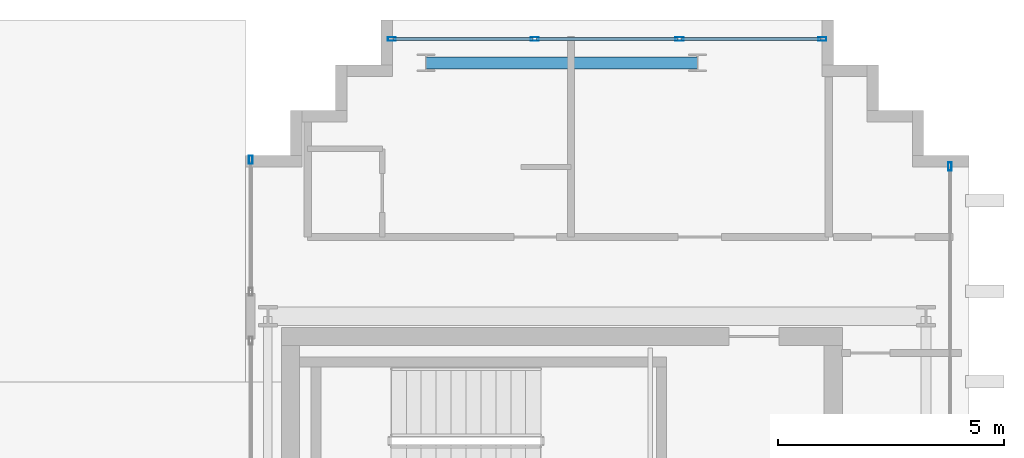
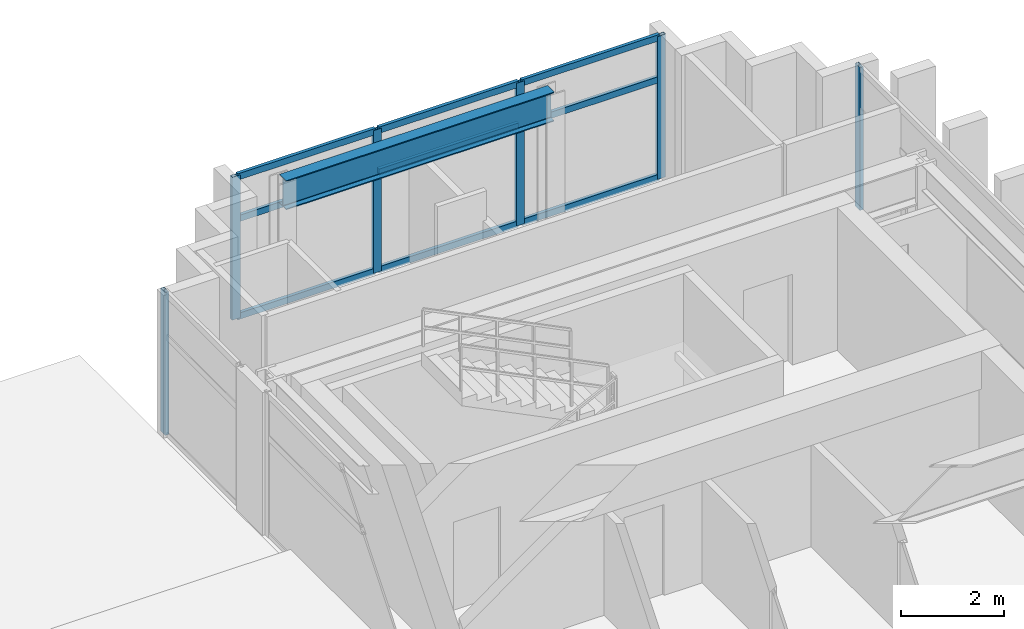
# One storey, part 17 of 25: 15 members, 1 beam, 3 elements without a shape of their own.
"""IFC4 building model written with IfcOpenShell, lengths in metres."""

from ifc_helpers import new_model, si_unit, direction, frame, origin, origin_2d, place, context, subcontext, project, spatial, hollow_rectangle, i_section, extrude, source, transform, mapped, material, layer, layer_set, material_profile, profile_set, type_object, element, aggregate, save


model = new_model("IFC4")

# Units and contexts
model_context = context("Model", 3, precision=1e-05, world=origin(), true_north=direction((0.0, 1.0)))
body_context = subcontext(model_context, "Body", "Model", "MODEL_VIEW")
ifc_project = project(units=[si_unit("LENGTHUNIT", "METRE"), si_unit("AREAUNIT", "SQUARE_METRE"), si_unit("VOLUMEUNIT", "CUBIC_METRE"), si_unit("PLANEANGLEUNIT", "RADIAN"), si_unit("MASSUNIT", "GRAM", prefix="KILO")], contexts=[model_context])

# Site, building, storey
site_placement = place(None, origin())
site = spatial("IfcSite", under=ifc_project, at=site_placement, CompositionType="ELEMENT")
building_placement = place(site_placement, origin())
building = spatial("IfcBuilding", under=site, at=building_placement, Name="Ocotamira Hotel", CompositionType="ELEMENT")
storey_placement = place(building_placement, frame((0.0, 0.0, 250.800048828125)))
storey = spatial("IfcBuildingStorey", under=building, at=storey_placement, Name="L63", CompositionType="ELEMENT", Elevation=250.800048828125)

# Beam
ifc_material_1 = material(Name="Steel ASTM A992 Grade 50", Category="steel")
ifc_material_profile_1 = material_profile(ifc_material_1, i_section(OverallWidth=0.256103515625, OverallDepth=0.693115234375, WebThickness=0.014404296875, FlangeThickness=0.023681640625, FilletRadius=0.01611328125, at=origin_2d()), Name="W27X114")
ifc_profile_set_1 = profile_set([ifc_material_profile_1], Name="Steel ASTM A992 Grade 50")
beam_type = type_object("IfcBeamType", Name="BM-PRIM-W27X114", PredefinedType="BEAM", material=ifc_profile_set_1)
shared_shape_1 = source(origin(), body_context, "Body", "SweptSolid", [
    extrude(i_section(OverallWidth=0.256103515625, OverallDepth=0.693115234375, WebThickness=0.014404296875, FlangeThickness=0.023681640625, FilletRadius=0.01611328125, at=origin_2d()), origin(), (0.0, 0.0, 1.0), 6.0),
])
beam_placement = place(storey_placement, frame((44.0, 43.050048828125, 3.033447265625), z_axis=(1.0, 0.0, 0.0), x_axis=(0.0, 1.0, 0.0)))
element("IfcBeam", 1, at=beam_placement, inside=storey, type_object=beam_type, Name="L63 Girder Y43.05 X44-50", PredefinedType="BEAM", context=body_context, shape_type="MappedRepresentation", body=[
    mapped(shared_shape_1, transform((0.0, 0.0, 0.0), scale=1.0)),
])

# Curtain wall, members
ifc_material_2 = material(Name="Anodised pale-metal aluminium and solar glass", Category="aluminium")
ifc_layer = layer(ifc_material_2, 0.2099609375)
ifc_layer_set = layer_set([ifc_layer], Name="Anodised pale-metal aluminium and solar glass")
curtain_wall_type = type_object("IfcCurtainWallType", Name="CW-SYS7-PEAK", PredefinedType="NOTDEFINED", material=ifc_layer_set)
curtain_wall_1_placement = place(storey_placement, origin())
curtain_wall_1 = element("IfcCurtainWall", 2, at=curtain_wall_1_placement, inside=storey, type_object=curtain_wall_type, Name="L63 Curtain Wall CW-7 CW-L63-EN", PredefinedType="NOTDEFINED")
ifc_material_3 = material(Name="Anodised pale-metal aluminium 6063-T6", Category="aluminium")
ifc_material_profile_2 = material_profile(ifc_material_3, hollow_rectangle(XDim=0.080078125, YDim=0.179931640625, WallThickness=0.006103515625, at=origin_2d()), Name="HSS180X80X6")
ifc_profile_set_2 = profile_set([ifc_material_profile_2], Name="Anodised pale-metal aluminium 6063-T6")
member_type_1 = type_object("IfcMemberType", Name="CWM-180X75", PredefinedType="MULLION", material=ifc_profile_set_2)
shared_shape_2 = source(origin(), body_context, "Body", "SweptSolid", [
    extrude(hollow_rectangle(XDim=0.080078125, YDim=0.179931640625, WallThickness=0.006103515625, at=origin_2d()), origin(), (0.0, 0.0, 1.0), 3.3798828125),
])
member_1_placement = place(storey_placement, frame((43.239990234375, 43.580078125, 0.0), z_axis=(0.0, 0.0, 1.0), x_axis=(0.0, 1.0, 0.0)))
member_1 = element("IfcMember", 3, at=member_1_placement, type_object=member_type_1, Name="CW-7 mullion 1", PredefinedType="MULLION", context=body_context, shape_type="MappedRepresentation", body=[
    mapped(shared_shape_2, transform((0.0, 0.0, 0.0), scale=1.0)),
])
member_2_placement = place(storey_placement, frame((46.39990234375, 43.580078125, 0.0), z_axis=(0.0, 0.0, 1.0), x_axis=(0.0, 1.0, 0.0)))
member_2 = element("IfcMember", 4, at=member_2_placement, type_object=member_type_1, Name="CW-7 mullion 2", PredefinedType="MULLION", context=body_context, shape_type="MappedRepresentation", body=[
    mapped(shared_shape_2, transform((0.0, 0.0, 0.0), scale=1.0)),
])
member_3_placement = place(storey_placement, frame((49.60009765625, 43.580078125, 0.0), z_axis=(0.0, 0.0, 1.0), x_axis=(0.0, 1.0, 0.0)))
member_3 = element("IfcMember", 5, at=member_3_placement, type_object=member_type_1, Name="CW-7 mullion 3", PredefinedType="MULLION", context=body_context, shape_type="MappedRepresentation", body=[
    mapped(shared_shape_2, transform((0.0, 0.0, 0.0), scale=1.0)),
])
member_4_placement = place(storey_placement, frame((52.760009765625, 43.580078125, 0.0), z_axis=(0.0, 0.0, 1.0), x_axis=(0.0, 1.0, 0.0)))
member_4 = element("IfcMember", 6, at=member_4_placement, type_object=member_type_1, Name="CW-7 mullion 4", PredefinedType="MULLION", context=body_context, shape_type="MappedRepresentation", body=[
    mapped(shared_shape_2, transform((0.0, 0.0, 0.0), scale=1.0)),
])

# Curtain wall, member
curtain_wall_2_placement = place(storey_placement, origin())
curtain_wall_2 = element("IfcCurtainWall", 7, at=curtain_wall_2_placement, inside=storey, type_object=curtain_wall_type, Name="L63 Curtain Wall CW-7 CW-L63-EO2", PredefinedType="NOTDEFINED")
member_5_placement = place(storey_placement, frame((55.580078125, 40.760009765625, 0.0), z_axis=(0.0, 0.0, 1.0), x_axis=(-1.0, 0.0, 0.0)))
member_5 = element("IfcMember", 8, at=member_5_placement, type_object=member_type_1, Name="CW-7 mullion 3", PredefinedType="MULLION", context=body_context, shape_type="MappedRepresentation", body=[
    mapped(shared_shape_2, transform((0.0, 0.0, 0.0), scale=1.0)),
])
aggregate(curtain_wall_2, [member_5])

curtain_wall_3_placement = place(storey_placement, origin())
curtain_wall_3 = element("IfcCurtainWall", 9, at=curtain_wall_3_placement, inside=storey, type_object=curtain_wall_type, Name="L63 Curtain Wall CW-7 CW-L63-EI4", PredefinedType="NOTDEFINED")
member_6_placement = place(storey_placement, frame((40.1201171875, 40.909912109375, 0.0), z_axis=(0.0, 0.0, 1.0), x_axis=(-1.0, 0.0, 0.0)))
member_6 = element("IfcMember", 10, at=member_6_placement, type_object=member_type_1, Name="CW-7 mullion 2", PredefinedType="MULLION", context=body_context, shape_type="MappedRepresentation", body=[
    mapped(shared_shape_2, transform((0.0, 0.0, 0.0), scale=1.0)),
])
aggregate(curtain_wall_3, [member_6])

# Member
ifc_material_profile_3 = material_profile(ifc_material_3, hollow_rectangle(XDim=0.074951171875, YDim=0.14990234375, WallThickness=0.006103515625, at=origin_2d()), Name="HSS150X75X6")
ifc_profile_set_3 = profile_set([ifc_material_profile_3], Name="Anodised pale-metal aluminium 6063-T6")
member_type_2 = type_object("IfcMemberType", Name="CWT-150X75", PredefinedType="USERDEFINED", material=ifc_profile_set_3)
shared_shape_3 = source(origin(), body_context, "Body", "SweptSolid", [
    extrude(hollow_rectangle(XDim=0.074951171875, YDim=0.14990234375, WallThickness=0.006103515625, at=origin_2d()), origin(), (0.0, 0.0, 1.0), 3.080078125),
])
member_7_placement = place(storey_placement, frame((43.280029296875, 43.580078125, 0.037353515625), z_axis=(1.0, 0.0, 0.0), x_axis=(0.0, 1.0, 0.0)))
member_7 = element("IfcMember", 11, at=member_7_placement, type_object=member_type_2, Name="CW-7 transom 1.1", ObjectType="TRANSOM", PredefinedType="USERDEFINED", context=body_context, shape_type="MappedRepresentation", body=[
    mapped(shared_shape_3, transform((0.0, 0.0, 0.0), scale=1.0)),
])

member_8_placement = place(storey_placement, frame((43.280029296875, 43.580078125, 2.349853515625), z_axis=(1.0, 0.0, 0.0), x_axis=(0.0, 1.0, 0.0)))
member_8 = element("IfcMember", 12, at=member_8_placement, type_object=member_type_2, Name="CW-7 transom 1.2", ObjectType="TRANSOM", PredefinedType="USERDEFINED", context=body_context, shape_type="MappedRepresentation", body=[
    mapped(shared_shape_3, transform((0.0, 0.0, 0.0), scale=1.0)),
])

member_9_placement = place(storey_placement, frame((43.280029296875, 43.580078125, 3.342529296875), z_axis=(1.0, 0.0, 0.0), x_axis=(0.0, 1.0, 0.0)))
member_9 = element("IfcMember", 13, at=member_9_placement, type_object=member_type_2, Name="CW-7 transom 1.3", ObjectType="TRANSOM", PredefinedType="USERDEFINED", context=body_context, shape_type="MappedRepresentation", body=[
    mapped(shared_shape_3, transform((0.0, 0.0, 0.0), scale=1.0)),
])

member_10_placement = place(storey_placement, frame((49.639892578125, 43.580078125, 0.037353515625), z_axis=(1.0, 0.0, 0.0), x_axis=(0.0, 1.0, 0.0)))
member_10 = element("IfcMember", 14, at=member_10_placement, type_object=member_type_2, Name="CW-7 transom 3.1", ObjectType="TRANSOM", PredefinedType="USERDEFINED", context=body_context, shape_type="MappedRepresentation", body=[
    mapped(shared_shape_3, transform((0.0, 0.0, 0.0), scale=1.0)),
])

member_11_placement = place(storey_placement, frame((49.639892578125, 43.580078125, 2.349853515625), z_axis=(1.0, 0.0, 0.0), x_axis=(0.0, 1.0, 0.0)))
member_11 = element("IfcMember", 15, at=member_11_placement, type_object=member_type_2, Name="CW-7 transom 3.2", ObjectType="TRANSOM", PredefinedType="USERDEFINED", context=body_context, shape_type="MappedRepresentation", body=[
    mapped(shared_shape_3, transform((0.0, 0.0, 0.0), scale=1.0)),
])

member_12_placement = place(storey_placement, frame((49.639892578125, 43.580078125, 3.342529296875), z_axis=(1.0, 0.0, 0.0), x_axis=(0.0, 1.0, 0.0)))
member_12 = element("IfcMember", 16, at=member_12_placement, type_object=member_type_2, Name="CW-7 transom 3.3", ObjectType="TRANSOM", PredefinedType="USERDEFINED", context=body_context, shape_type="MappedRepresentation", body=[
    mapped(shared_shape_3, transform((0.0, 0.0, 0.0), scale=1.0)),
])

shared_shape_4 = source(origin(), body_context, "Body", "SweptSolid", [
    extrude(hollow_rectangle(XDim=0.074951171875, YDim=0.14990234375, WallThickness=0.006103515625, at=origin_2d()), origin(), (0.0, 0.0, 1.0), 3.1201171875),
])
member_13_placement = place(storey_placement, frame((46.43994140625, 43.580078125, 0.037353515625), z_axis=(1.0, 0.0, 0.0), x_axis=(0.0, 1.0, 0.0)))
member_13 = element("IfcMember", 17, at=member_13_placement, type_object=member_type_2, Name="CW-7 transom 2.1", ObjectType="TRANSOM", PredefinedType="USERDEFINED", context=body_context, shape_type="MappedRepresentation", body=[
    mapped(shared_shape_4, transform((0.0, 0.0, 0.0), scale=1.0)),
])

member_14_placement = place(storey_placement, frame((46.43994140625, 43.580078125, 2.349853515625), z_axis=(1.0, 0.0, 0.0), x_axis=(0.0, 1.0, 0.0)))
member_14 = element("IfcMember", 18, at=member_14_placement, type_object=member_type_2, Name="CW-7 transom 2.2", ObjectType="TRANSOM", PredefinedType="USERDEFINED", context=body_context, shape_type="MappedRepresentation", body=[
    mapped(shared_shape_4, transform((0.0, 0.0, 0.0), scale=1.0)),
])

member_15_placement = place(storey_placement, frame((46.43994140625, 43.580078125, 3.342529296875), z_axis=(1.0, 0.0, 0.0), x_axis=(0.0, 1.0, 0.0)))
member_15 = element("IfcMember", 19, at=member_15_placement, type_object=member_type_2, Name="CW-7 transom 2.3", ObjectType="TRANSOM", PredefinedType="USERDEFINED", context=body_context, shape_type="MappedRepresentation", body=[
    mapped(shared_shape_4, transform((0.0, 0.0, 0.0), scale=1.0)),
])

aggregate(curtain_wall_1, [member_1, member_2, member_3, member_4, member_7, member_8, member_9, member_13, member_14, member_15, member_10, member_11, member_12])

save(model, "model.ifc")
